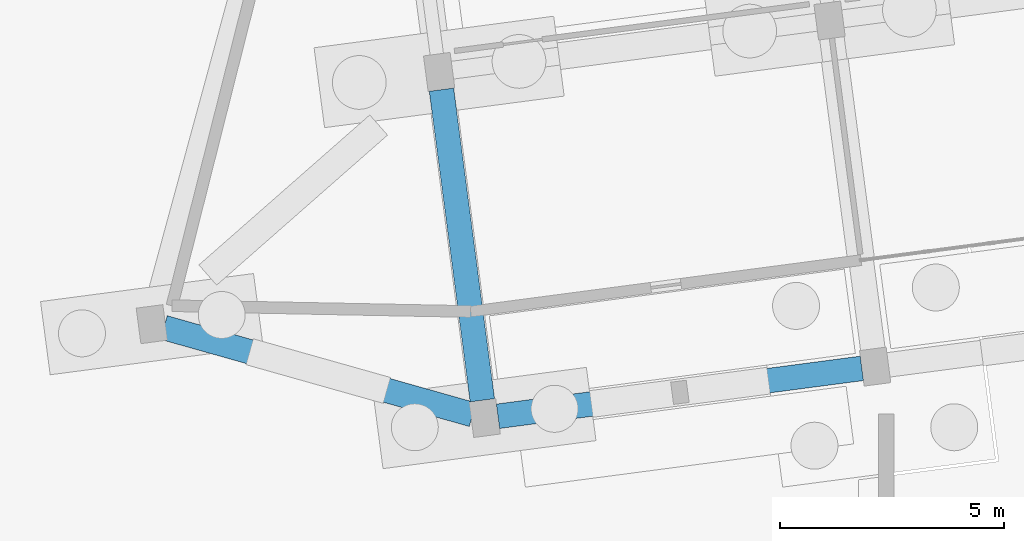
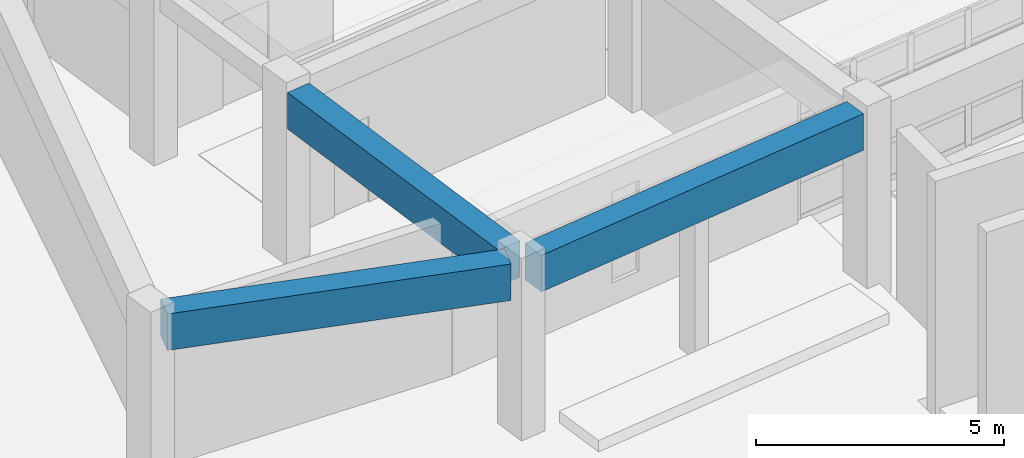
# One storey, part 59 of 154: 3 beams.
"""IFC4 building model written with IfcOpenShell, lengths in metres."""

from ifc_helpers import new_model, si_unit, direction, frame, origin, origin_2d, place, context, subcontext, project, spatial, rectangle, extrude, material, material_profile, profile_set, type_object, element, save


model = new_model("IFC4")

# Units and contexts
model_context = context("Model", 3, precision=1e-05, world=origin(), true_north=direction((0.0, 1.0)))
body_context = subcontext(model_context, "Body", "Model", "MODEL_VIEW")
ifc_project = project(units=[si_unit("LENGTHUNIT", "METRE"), si_unit("AREAUNIT", "SQUARE_METRE"), si_unit("VOLUMEUNIT", "CUBIC_METRE"), si_unit("PLANEANGLEUNIT", "RADIAN"), si_unit("MASSUNIT", "GRAM", prefix="KILO")], contexts=[model_context])

# Site, building, storey
site_placement = place(None, origin())
site = spatial("IfcSite", under=ifc_project, at=site_placement, CompositionType="ELEMENT")
building_placement = place(site_placement, origin())
building = spatial("IfcBuilding", under=site, at=building_placement, Name="Kestramere Prow Commons", CompositionType="ELEMENT")
storey_placement = place(building_placement, origin())
storey = spatial("IfcBuildingStorey", under=building, at=storey_placement, Name="L00", CompositionType="ELEMENT", Elevation=0.0)

# Beams
ifc_material = material(Name="Precast concrete C40/50", Category="concrete")
ifc_material_profile = material_profile(ifc_material, rectangle(XDim=0.550048828125, YDim=0.89990234375, at=origin_2d()), Name="PC-TG 550x900")
ifc_profile_set = profile_set([ifc_material_profile], Name="Precast concrete C40/50")
beam_type = type_object("IfcBeamType", Name="TG-01 PC-TG 550x900 (EX)", PredefinedType="BEAM", material=ifc_profile_set)
beam_1_placement = place(storey_placement, frame((10.930419921875, 72.075927734375, 3.800048828125), z_axis=(-0.96246176941, 0.271417284681, 0.0), x_axis=(-0.271417284681, -0.96246176941, 0.0)))
element("IfcBeam", 1, at=beam_1_placement, inside=storey, type_object=beam_type, Name="Block A L00 Prow Facet Beam S", PredefinedType="BEAM", context=body_context, shape_type="SweptSolid", body=[
    extrude(rectangle(XDim=0.550048828125, YDim=0.89990234375, at=origin_2d()), origin(), (0.0, 0.0, 1.0), 7.167236328125),
])
beam_2_placement = place(storey_placement, frame((11.497314453125, 72.0390625, 3.800048828125), z_axis=(0.991444969909, 0.13052536781, 0.0), x_axis=(-0.13052536781, 0.991444969909, 0.0)))
element("IfcBeam", 2, at=beam_2_placement, inside=storey, type_object=beam_type, Name="Block A L00 Longitudinal Beam 1-1", PredefinedType="BEAM", context=body_context, shape_type="SweptSolid", body=[
    extrude(rectangle(XDim=0.550048828125, YDim=0.89990234375, at=origin_2d()), origin(), (0.0, 0.0, 1.0), 8.199951171875),
])
beam_3_placement = place(storey_placement, frame((11.147705078125, 72.396484375, 3.800048828125), z_axis=(-0.13050954625, 0.991447052715, 0.0), x_axis=(-0.991447052715, -0.13050954625, 0.0)))
element("IfcBeam", 3, at=beam_3_placement, inside=storey, type_object=beam_type, Name="Block A L00 S Colonnade Transfer Girder 1", PredefinedType="BEAM", context=body_context, shape_type="SweptSolid", body=[
    extrude(rectangle(XDim=0.550048828125, YDim=0.89990234375, at=origin_2d()), origin(), (0.0, 0.0, 1.0), 7.0),
])

save(model, "model.ifc")
